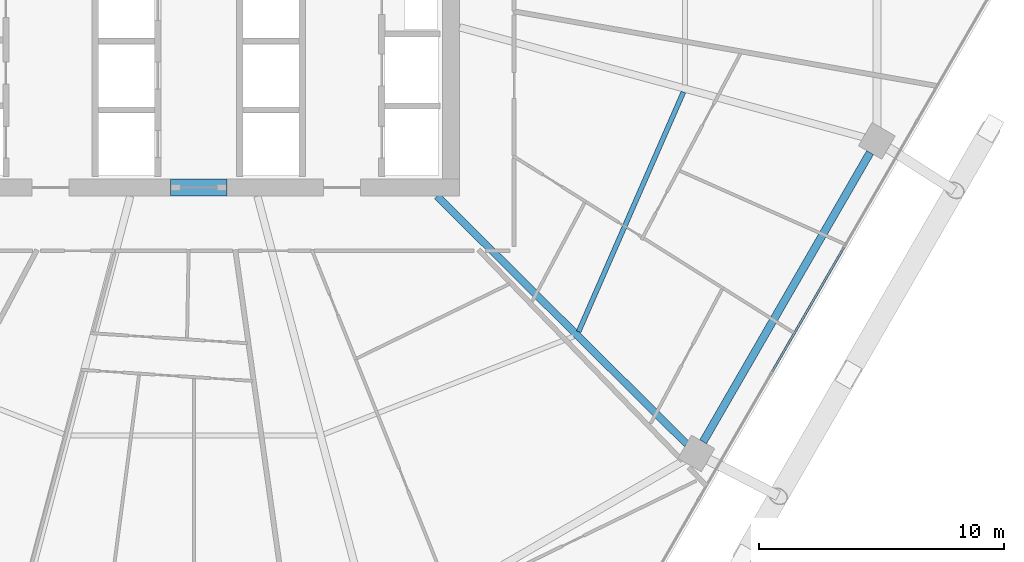
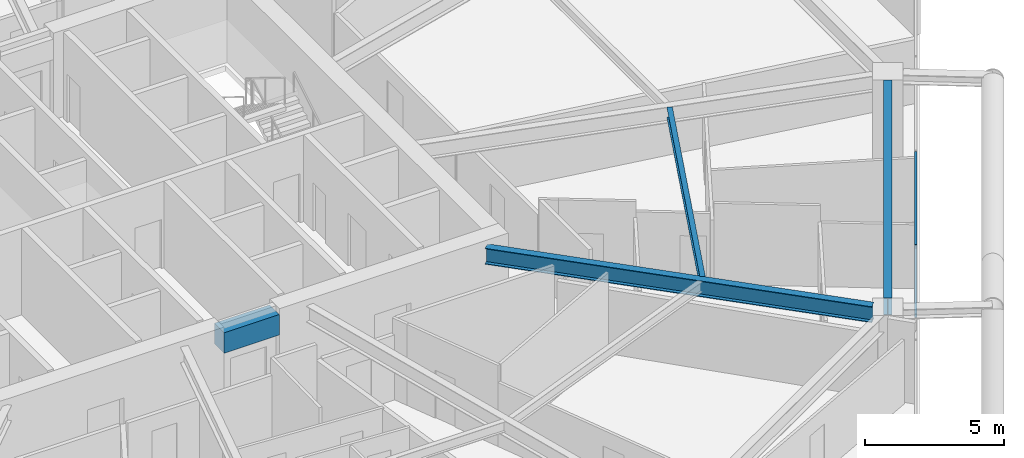
# One storey, part 11 of 35: 4 beams, 2 members, 1 element without a shape of its own.
"""IFC4 building model written with IfcOpenShell, lengths in metres."""

from ifc_helpers import new_model, si_unit, direction, frame, origin, origin_2d, place, context, subcontext, project, spatial, rectangle, hollow_rectangle, i_section, extrude, material, material_profile, profile_set, type_object, element, aggregate, save


model = new_model("IFC4")

# Units and contexts
model_context = context("Model", 3, precision=1e-05, world=origin(), true_north=direction((0.0, 1.0)))
body_context = subcontext(model_context, "Body", "Model", "MODEL_VIEW")
ifc_project = project(units=[si_unit("LENGTHUNIT", "METRE"), si_unit("AREAUNIT", "SQUARE_METRE"), si_unit("VOLUMEUNIT", "CUBIC_METRE"), si_unit("PLANEANGLEUNIT", "RADIAN"), si_unit("MASSUNIT", "GRAM", prefix="KILO")], contexts=[model_context])

# Site, building, storey
site_placement = place(None, origin())
site = spatial("IfcSite", under=ifc_project, at=site_placement, CompositionType="ELEMENT")
building_placement = place(site_placement, origin())
building = spatial("IfcBuilding", under=site, at=building_placement, Name="Zuhravey Tower", CompositionType="ELEMENT")
storey_placement = place(building_placement, frame((0.0, 0.0, 138.0)))
storey = spatial("IfcBuildingStorey", under=building, at=storey_placement, Name="L34", CompositionType="ELEMENT", Elevation=138.0)

# Beam
ifc_material_1 = material(Name="Concrete C60/75", Category="concrete")
ifc_material_profile_1 = material_profile(ifc_material_1, rectangle(XDim=0.699951171875, YDim=0.89990234375, at=origin_2d()), Name="RC-700x900")
ifc_profile_set_1 = profile_set([ifc_material_profile_1], Name="Concrete C60/75")
beam_type_1 = type_object("IfcBeamType", Name="Core Coupling Beam RC700x900", PredefinedType="LINTEL", material=ifc_profile_set_1)
beam_1_placement = place(storey_placement, frame((35.052001953125, 22.5, 3.10009765625), z_axis=(1.0, 0.0, 0.0), x_axis=(0.0, 1.0, 0.0)))
element("IfcBeam", 1, at=beam_1_placement, inside=storey, type_object=beam_type_1, Name="L34 CB1 BM-L34-CB-S", PredefinedType="LINTEL", context=body_context, shape_type="SweptSolid", body=[
    extrude(rectangle(XDim=0.699951171875, YDim=0.89990234375, at=origin_2d()), origin(), (0.0, 0.0, 1.0), 2.2958984375),
])

# Curtain wall, members
ifc_material_2 = material(Name="Thermally broken anodised aluminium", Category="aluminium")
curtain_wall_type = type_object("IfcCurtainWallType", Name="Zone 1-2 Residential Curtain Wall CW3", PredefinedType="NOTDEFINED", material=ifc_material_2)
curtain_wall_placement = place(storey_placement, origin())
curtain_wall = element("IfcCurtainWall", 2, at=curtain_wall_placement, inside=storey, type_object=curtain_wall_type, Name="L34 CW3 CW-L34-F6-1", PredefinedType="NOTDEFINED")
ifc_material_3 = material(Name="Anodised aluminium", Category="aluminium")
ifc_material_profile_2 = material_profile(ifc_material_3, hollow_rectangle(XDim=0.090087890625, YDim=0.14990234375, WallThickness=0.0048828125, at=origin_2d()), Name="ALU-RHS-90x150x5")
ifc_profile_set_2 = profile_set([ifc_material_profile_2], Name="Anodised aluminium")
member_type = type_object("IfcMemberType", Name="Curtain-Wall Transom 90x150", PredefinedType="USERDEFINED", material=ifc_profile_set_2)
member_1_placement = place(storey_placement, frame((62.5361328125, 20.045166015625, 0.044921875), z_axis=(-0.499981042766, -0.866036348472, 0.0), x_axis=(0.866036348472, -0.499981042766, 0.0)))
member_1 = element("IfcMember", 3, at=member_1_placement, type_object=member_type, Name="CW3 transom 3.1", ObjectType="TRANSOM", PredefinedType="USERDEFINED", context=body_context, shape_type="SweptSolid", body=[
    extrude(hollow_rectangle(XDim=0.090087890625, YDim=0.14990234375, WallThickness=0.0048828125, at=origin_2d()), origin(), (0.0, 0.0, 1.0), 5.829833984375),
])
member_2_placement = place(storey_placement, frame((62.5361328125, 20.045166015625, 3.076904296875), z_axis=(-0.499981042766, -0.866036348472, 0.0), x_axis=(0.866036348472, -0.499981042766, 0.0)))
member_2 = element("IfcMember", 4, at=member_2_placement, type_object=member_type, Name="CW3 transom 3.2", ObjectType="TRANSOM", PredefinedType="USERDEFINED", context=body_context, shape_type="SweptSolid", body=[
    extrude(hollow_rectangle(XDim=0.090087890625, YDim=0.14990234375, WallThickness=0.0048828125, at=origin_2d()), origin(), (0.0, 0.0, 1.0), 5.829833984375),
])
aggregate(curtain_wall, [member_1, member_2])

# Beams
ifc_material_4 = material(Name="Steel SM355", Category="steel")
ifc_material_profile_3 = material_profile(ifc_material_4, i_section(OverallWidth=0.320068359375, OverallDepth=0.75, WebThickness=0.013916015625, FlangeThickness=0.02490234375, at=origin_2d()), Name="H-750x320x14x25")
ifc_profile_set_3 = profile_set([ifc_material_profile_3], Name="Steel SM355")
beam_type_2 = type_object("IfcBeamType", Name="Perimeter Ring Beam H750x320", PredefinedType="BEAM", material=ifc_profile_set_3)
beam_2_placement = place(storey_placement, frame((56.79541015625, 12.1220703125, 3.175048828125), z_axis=(0.500008177929, 0.866020682204, 0.0), x_axis=(-0.866020682204, 0.500008177929, 0.0)))
element("IfcBeam", 5, at=beam_2_placement, inside=storey, type_object=beam_type_2, Name="L34 PB1 BM-L34-PB-11", PredefinedType="BEAM", context=body_context, shape_type="SweptSolid", body=[
    extrude(i_section(OverallWidth=0.320068359375, OverallDepth=0.75, WebThickness=0.013916015625, FlangeThickness=0.02490234375, at=origin_2d()), origin(), (0.0, 0.0, 1.0), 13.634033203125),
])
ifc_material_profile_4 = material_profile(ifc_material_4, i_section(OverallWidth=0.300048828125, OverallDepth=0.699951171875, WebThickness=0.012939453125, FlangeThickness=0.02392578125, at=origin_2d()), Name="H-700x300x13x24")
ifc_profile_set_4 = profile_set([ifc_material_profile_4], Name="Steel SM355")
beam_type_3 = type_object("IfcBeamType", Name="Radial Primary Girder H700x300", PredefinedType="BEAM", material=ifc_profile_set_4)
beam_3_placement = place(storey_placement, frame((45.931396484375, 22.14697265625, 3.199951171875), z_axis=(0.709906230344, -0.704296204816, 0.0), x_axis=(0.704296204816, 0.709906230344, 0.0)))
element("IfcBeam", 6, at=beam_3_placement, inside=storey, type_object=beam_type_3, Name="L34 RG1 BM-L34-RAD-11", PredefinedType="BEAM", context=body_context, shape_type="SweptSolid", body=[
    extrude(i_section(OverallWidth=0.300048828125, OverallDepth=0.699951171875, WebThickness=0.012939453125, FlangeThickness=0.02392578125, at=origin_2d()), origin(), (0.0, 0.0, 1.0), 14.361083984375),
])
ifc_material_profile_5 = material_profile(ifc_material_4, i_section(OverallWidth=0.199951171875, OverallDepth=0.449951171875, WebThickness=0.009033203125, FlangeThickness=0.013916015625, at=origin_2d()), Name="H-450x200x9x14")
ifc_profile_set_5 = profile_set([ifc_material_profile_5], Name="Steel SM355")
beam_type_4 = type_object("IfcBeamType", Name="Secondary Floor Joist H450x200", PredefinedType="JOIST", material=ifc_profile_set_5)
beam_4_placement = place(storey_placement, frame((51.71044921875, 16.615966796875, 3.324951171875), z_axis=(0.400786454617, 0.916171500209, 0.0), x_axis=(-0.916171500209, 0.400786454617, 0.0)))
element("IfcBeam", 7, at=beam_4_placement, inside=storey, type_object=beam_type_4, Name="L34 SJ1 BM-L34-SJ-11-1", PredefinedType="JOIST", context=body_context, shape_type="SweptSolid", body=[
    extrude(i_section(OverallWidth=0.199951171875, OverallDepth=0.449951171875, WebThickness=0.009033203125, FlangeThickness=0.013916015625, at=origin_2d()), origin(), (0.0, 0.0, 1.0), 10.6796875),
])

save(model, "model.ifc")
